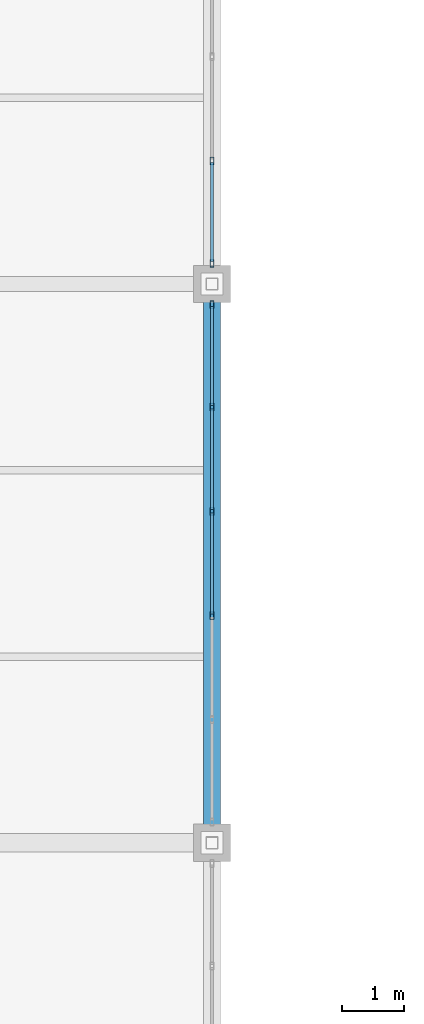
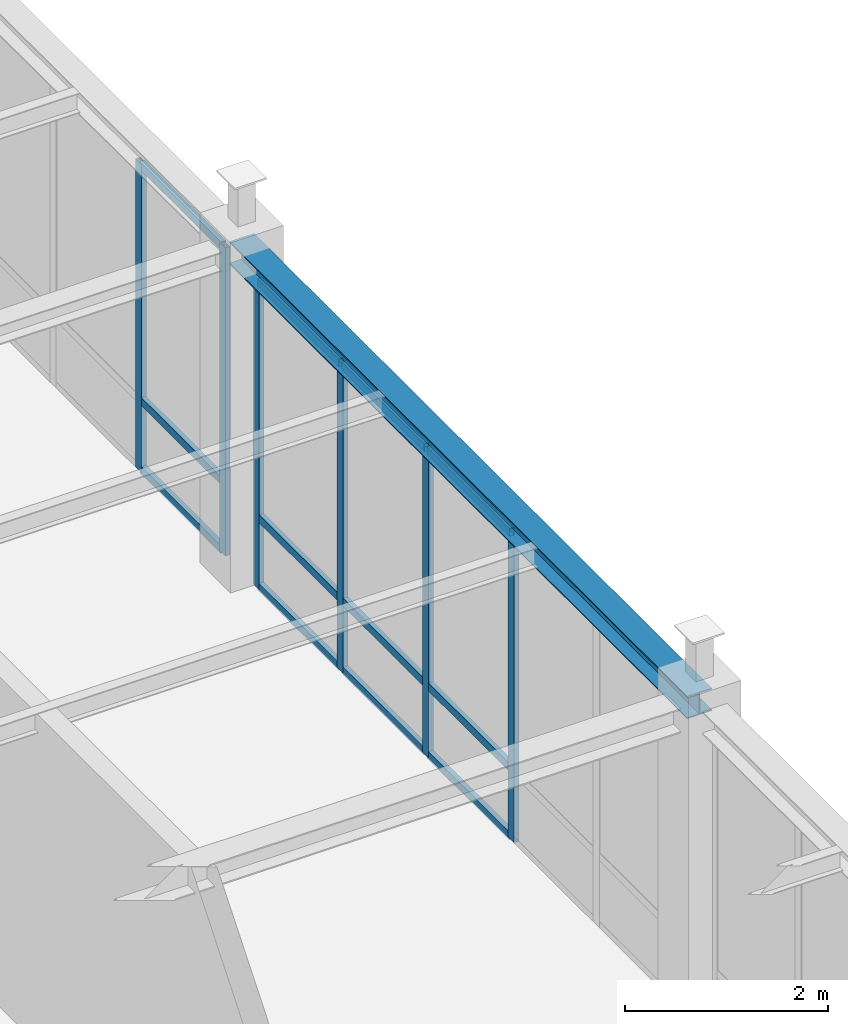
# One storey, part 52 of 97: 18 members, 1 beam, 2 elements without a shape of their own.
"""IFC4 building model written with IfcOpenShell, lengths in metres."""

from ifc_helpers import new_model, si_unit, direction, frame, origin, origin_2d, place, context, subcontext, project, spatial, hollow_rectangle, i_section, extrude, material, material_profile, profile_set, type_object, element, aggregate, save


model = new_model("IFC4")

# Units and contexts
model_context = context("Model", 3, precision=1e-05, world=origin(), true_north=direction((0.0, 1.0)))
body_context = subcontext(model_context, "Body", "Model", "MODEL_VIEW")
ifc_project = project(units=[si_unit("LENGTHUNIT", "METRE"), si_unit("AREAUNIT", "SQUARE_METRE"), si_unit("VOLUMEUNIT", "CUBIC_METRE"), si_unit("PLANEANGLEUNIT", "RADIAN"), si_unit("MASSUNIT", "GRAM", prefix="KILO")], contexts=[model_context])

# Site, building, storey
site_placement = place(None, origin())
site = spatial("IfcSite", under=ifc_project, at=site_placement, CompositionType="ELEMENT")
building_placement = place(site_placement, origin())
building = spatial("IfcBuilding", under=site, at=building_placement, Name="Lykobir Media Centre", CompositionType="ELEMENT")
storey_placement = place(building_placement, frame((0.0, 0.0, 23.39990234375)))
storey = spatial("IfcBuildingStorey", under=building, at=storey_placement, Name="L05", CompositionType="ELEMENT", Elevation=23.39990234375)

# Beam
ifc_material_1 = material(Name="Steel S355", Category="steel")
ifc_material_profile_1 = material_profile(ifc_material_1, i_section(OverallWidth=0.280029296875, OverallDepth=0.27001953125, WebThickness=0.008056640625, FlangeThickness=0.012939453125, at=origin_2d()), Name="HEA 280")
ifc_profile_set_1 = profile_set([ifc_material_profile_1], Name="Steel S355")
beam_type = type_object("IfcBeamType", Name="BM-HEA280", PredefinedType="BEAM", material=ifc_profile_set_1)
beam_placement = place(storey_placement, frame((99.0, 36.0, 3.84521484375), z_axis=(0.0, 1.0, 0.0), x_axis=(-1.0, 0.0, 0.0)))
element("IfcBeam", 1, at=beam_placement, inside=storey, type_object=beam_type, Name="Beam BM-L05-0990-0360-0990-0450-2724", PredefinedType="BEAM", context=body_context, shape_type="SweptSolid", body=[
    extrude(i_section(OverallWidth=0.280029296875, OverallDepth=0.27001953125, WebThickness=0.008056640625, FlangeThickness=0.012939453125, at=origin_2d()), origin(), (0.0, 0.0, 1.0), 9.0),
])

# Curtain wall, members
ifc_material_2 = material(Name="Anodized Aluminium AW-6060", Category="aluminium")
curtain_wall_type = type_object("IfcCurtainWallType", Name="CW-COURT-B", PredefinedType="NOTDEFINED", material=ifc_material_2)
curtain_wall_1_placement = place(storey_placement, origin())
curtain_wall_1 = element("IfcCurtainWall", 2, at=curtain_wall_1_placement, inside=storey, type_object=curtain_wall_type, Name="Curtain wall CW2-L05-0183", PredefinedType="NOTDEFINED")
ifc_material_profile_2 = material_profile(ifc_material_2, hollow_rectangle(XDim=0.054931640625, YDim=0.1201171875, WallThickness=0.003173828125, at=origin_2d()), Name="ALU MULLION 55x120")
ifc_profile_set_2 = profile_set([ifc_material_profile_2], Name="Anodized Aluminium AW-6060")
member_type_1 = type_object("IfcMemberType", Name="CWM-120", PredefinedType="MULLION", material=ifc_profile_set_2)
member_1_placement = place(storey_placement, frame((99.0, 44.66748046875, 0.0), z_axis=(0.0, 0.0, 1.0), x_axis=(1.0, 0.0, 0.0)))
member_1 = element("IfcMember", 3, at=member_1_placement, type_object=member_type_1, Name="CW2-L05-0183 mullion 1", PredefinedType="MULLION", context=body_context, shape_type="SweptSolid", body=[
    extrude(hollow_rectangle(XDim=0.054931640625, YDim=0.1201171875, WallThickness=0.003173828125, at=origin_2d()), origin(), (0.0, 0.0, 1.0), 3.695068359375),
])
member_2_placement = place(storey_placement, frame((99.0, 43.01708984375, 0.0), z_axis=(0.0, 0.0, 1.0), x_axis=(1.0, 0.0, 0.0)))
member_2 = element("IfcMember", 4, at=member_2_placement, type_object=member_type_1, Name="CW2-L05-0183 mullion 2", PredefinedType="MULLION", context=body_context, shape_type="SweptSolid", body=[
    extrude(hollow_rectangle(XDim=0.054931640625, YDim=0.1201171875, WallThickness=0.003173828125, at=origin_2d()), origin(), (0.0, 0.0, 1.0), 3.695068359375),
])
member_3_placement = place(storey_placement, frame((99.0, 41.339111328125, 0.0), z_axis=(0.0, 0.0, 1.0), x_axis=(1.0, 0.0, 0.0)))
member_3 = element("IfcMember", 5, at=member_3_placement, type_object=member_type_1, Name="CW2-L05-0183 mullion 3", PredefinedType="MULLION", context=body_context, shape_type="SweptSolid", body=[
    extrude(hollow_rectangle(XDim=0.054931640625, YDim=0.1201171875, WallThickness=0.003173828125, at=origin_2d()), origin(), (0.0, 0.0, 1.0), 3.695068359375),
])
member_4_placement = place(storey_placement, frame((99.0, 39.660888671875, 0.0), z_axis=(0.0, 0.0, 1.0), x_axis=(1.0, 0.0, 0.0)))
member_4 = element("IfcMember", 6, at=member_4_placement, type_object=member_type_1, Name="CW2-L05-0183 mullion 4", PredefinedType="MULLION", context=body_context, shape_type="SweptSolid", body=[
    extrude(hollow_rectangle(XDim=0.054931640625, YDim=0.1201171875, WallThickness=0.003173828125, at=origin_2d()), origin(), (0.0, 0.0, 1.0), 3.695068359375),
])

curtain_wall_2_placement = place(storey_placement, origin())
curtain_wall_2 = element("IfcCurtainWall", 7, at=curtain_wall_2_placement, inside=storey, type_object=curtain_wall_type, Name="Curtain wall CW2-L05-0184", PredefinedType="NOTDEFINED")
member_5_placement = place(storey_placement, frame((99.0, 46.98291015625, 0.0), z_axis=(0.0, 0.0, 1.0), x_axis=(1.0, 0.0, 0.0)))
member_5 = element("IfcMember", 8, at=member_5_placement, type_object=member_type_1, Name="CW2-L05-0184 mullion 5", PredefinedType="MULLION", context=body_context, shape_type="SweptSolid", body=[
    extrude(hollow_rectangle(XDim=0.054931640625, YDim=0.1201171875, WallThickness=0.003173828125, at=origin_2d()), origin(), (0.0, 0.0, 1.0), 3.695068359375),
])
member_6_placement = place(storey_placement, frame((99.0, 45.33251953125, 0.0), z_axis=(0.0, 0.0, 1.0), x_axis=(1.0, 0.0, 0.0)))
member_6 = element("IfcMember", 9, at=member_6_placement, type_object=member_type_1, Name="CW2-L05-0184 mullion 6", PredefinedType="MULLION", context=body_context, shape_type="SweptSolid", body=[
    extrude(hollow_rectangle(XDim=0.054931640625, YDim=0.1201171875, WallThickness=0.003173828125, at=origin_2d()), origin(), (0.0, 0.0, 1.0), 3.695068359375),
])

# Member
ifc_material_profile_3 = material_profile(ifc_material_2, hollow_rectangle(XDim=0.054931640625, YDim=0.094970703125, WallThickness=0.0029296875, at=origin_2d()), Name="ALU TRANSOM 55x95")
ifc_profile_set_3 = profile_set([ifc_material_profile_3], Name="Anodized Aluminium AW-6060")
member_type_2 = type_object("IfcMemberType", Name="CWT-095", PredefinedType="USERDEFINED", material=ifc_profile_set_3)
member_7_placement = place(storey_placement, frame((99.0, 44.639892578125, 0.027587890625), z_axis=(0.0, -1.0, 0.0), x_axis=(1.0, 0.0, 0.0)))
member_7 = element("IfcMember", 10, at=member_7_placement, type_object=member_type_2, Name="CW2-L05-0183 transom 1.1", ObjectType="TRANSOM", PredefinedType="USERDEFINED", context=body_context, shape_type="SweptSolid", body=[
    extrude(hollow_rectangle(XDim=0.054931640625, YDim=0.094970703125, WallThickness=0.0029296875, at=origin_2d()), origin(), (0.0, 0.0, 1.0), 1.595458984375),
])

member_8_placement = place(storey_placement, frame((99.0, 44.639892578125, 0.85009765625), z_axis=(0.0, -1.0, 0.0), x_axis=(1.0, 0.0, 0.0)))
member_8 = element("IfcMember", 11, at=member_8_placement, type_object=member_type_2, Name="CW2-L05-0183 transom 1.2", ObjectType="TRANSOM", PredefinedType="USERDEFINED", context=body_context, shape_type="SweptSolid", body=[
    extrude(hollow_rectangle(XDim=0.054931640625, YDim=0.094970703125, WallThickness=0.0029296875, at=origin_2d()), origin(), (0.0, 0.0, 1.0), 1.595458984375),
])

member_9_placement = place(storey_placement, frame((99.0, 44.639892578125, 3.66748046875), z_axis=(0.0, -1.0, 0.0), x_axis=(1.0, 0.0, 0.0)))
member_9 = element("IfcMember", 12, at=member_9_placement, type_object=member_type_2, Name="CW2-L05-0183 transom 1.3", ObjectType="TRANSOM", PredefinedType="USERDEFINED", context=body_context, shape_type="SweptSolid", body=[
    extrude(hollow_rectangle(XDim=0.054931640625, YDim=0.094970703125, WallThickness=0.0029296875, at=origin_2d()), origin(), (0.0, 0.0, 1.0), 1.595458984375),
])

member_10_placement = place(storey_placement, frame((99.0, 42.989501953125, 0.027587890625), z_axis=(0.0, -1.0, 0.0), x_axis=(1.0, 0.0, 0.0)))
member_10 = element("IfcMember", 13, at=member_10_placement, type_object=member_type_2, Name="CW2-L05-0183 transom 2.1", ObjectType="TRANSOM", PredefinedType="USERDEFINED", context=body_context, shape_type="SweptSolid", body=[
    extrude(hollow_rectangle(XDim=0.054931640625, YDim=0.094970703125, WallThickness=0.0029296875, at=origin_2d()), origin(), (0.0, 0.0, 1.0), 1.623046875),
])

member_11_placement = place(storey_placement, frame((99.0, 42.989501953125, 0.85009765625), z_axis=(0.0, -1.0, 0.0), x_axis=(1.0, 0.0, 0.0)))
member_11 = element("IfcMember", 14, at=member_11_placement, type_object=member_type_2, Name="CW2-L05-0183 transom 2.2", ObjectType="TRANSOM", PredefinedType="USERDEFINED", context=body_context, shape_type="SweptSolid", body=[
    extrude(hollow_rectangle(XDim=0.054931640625, YDim=0.094970703125, WallThickness=0.0029296875, at=origin_2d()), origin(), (0.0, 0.0, 1.0), 1.623046875),
])

member_12_placement = place(storey_placement, frame((99.0, 42.989501953125, 3.66748046875), z_axis=(0.0, -1.0, 0.0), x_axis=(1.0, 0.0, 0.0)))
member_12 = element("IfcMember", 15, at=member_12_placement, type_object=member_type_2, Name="CW2-L05-0183 transom 2.3", ObjectType="TRANSOM", PredefinedType="USERDEFINED", context=body_context, shape_type="SweptSolid", body=[
    extrude(hollow_rectangle(XDim=0.054931640625, YDim=0.094970703125, WallThickness=0.0029296875, at=origin_2d()), origin(), (0.0, 0.0, 1.0), 1.623046875),
])

member_13_placement = place(storey_placement, frame((99.0, 41.3115234375, 0.027587890625), z_axis=(0.0, -1.0, 0.0), x_axis=(1.0, 0.0, 0.0)))
member_13 = element("IfcMember", 16, at=member_13_placement, type_object=member_type_2, Name="CW2-L05-0183 transom 3.1", ObjectType="TRANSOM", PredefinedType="USERDEFINED", context=body_context, shape_type="SweptSolid", body=[
    extrude(hollow_rectangle(XDim=0.054931640625, YDim=0.094970703125, WallThickness=0.0029296875, at=origin_2d()), origin(), (0.0, 0.0, 1.0), 1.623046875),
])

member_14_placement = place(storey_placement, frame((99.0, 41.3115234375, 0.85009765625), z_axis=(0.0, -1.0, 0.0), x_axis=(1.0, 0.0, 0.0)))
member_14 = element("IfcMember", 17, at=member_14_placement, type_object=member_type_2, Name="CW2-L05-0183 transom 3.2", ObjectType="TRANSOM", PredefinedType="USERDEFINED", context=body_context, shape_type="SweptSolid", body=[
    extrude(hollow_rectangle(XDim=0.054931640625, YDim=0.094970703125, WallThickness=0.0029296875, at=origin_2d()), origin(), (0.0, 0.0, 1.0), 1.623046875),
])

member_15_placement = place(storey_placement, frame((99.0, 41.3115234375, 3.66748046875), z_axis=(0.0, -1.0, 0.0), x_axis=(1.0, 0.0, 0.0)))
member_15 = element("IfcMember", 18, at=member_15_placement, type_object=member_type_2, Name="CW2-L05-0183 transom 3.3", ObjectType="TRANSOM", PredefinedType="USERDEFINED", context=body_context, shape_type="SweptSolid", body=[
    extrude(hollow_rectangle(XDim=0.054931640625, YDim=0.094970703125, WallThickness=0.0029296875, at=origin_2d()), origin(), (0.0, 0.0, 1.0), 1.623046875),
])

aggregate(curtain_wall_1, [member_1, member_2, member_3, member_4, member_7, member_8, member_9, member_10, member_11, member_12, member_13, member_14, member_15])

member_16_placement = place(storey_placement, frame((99.0, 46.95556640625, 0.027587890625), z_axis=(0.0, -1.0, 0.0), x_axis=(1.0, 0.0, 0.0)))
member_16 = element("IfcMember", 19, at=member_16_placement, type_object=member_type_2, Name="CW2-L05-0184 transom 5.1", ObjectType="TRANSOM", PredefinedType="USERDEFINED", context=body_context, shape_type="SweptSolid", body=[
    extrude(hollow_rectangle(XDim=0.054931640625, YDim=0.094970703125, WallThickness=0.0029296875, at=origin_2d()), origin(), (0.0, 0.0, 1.0), 1.595458984375),
])

member_17_placement = place(storey_placement, frame((99.0, 46.95556640625, 0.85009765625), z_axis=(0.0, -1.0, 0.0), x_axis=(1.0, 0.0, 0.0)))
member_17 = element("IfcMember", 20, at=member_17_placement, type_object=member_type_2, Name="CW2-L05-0184 transom 5.2", ObjectType="TRANSOM", PredefinedType="USERDEFINED", context=body_context, shape_type="SweptSolid", body=[
    extrude(hollow_rectangle(XDim=0.054931640625, YDim=0.094970703125, WallThickness=0.0029296875, at=origin_2d()), origin(), (0.0, 0.0, 1.0), 1.595458984375),
])

member_18_placement = place(storey_placement, frame((99.0, 46.95556640625, 3.66748046875), z_axis=(0.0, -1.0, 0.0), x_axis=(1.0, 0.0, 0.0)))
member_18 = element("IfcMember", 21, at=member_18_placement, type_object=member_type_2, Name="CW2-L05-0184 transom 5.3", ObjectType="TRANSOM", PredefinedType="USERDEFINED", context=body_context, shape_type="SweptSolid", body=[
    extrude(hollow_rectangle(XDim=0.054931640625, YDim=0.094970703125, WallThickness=0.0029296875, at=origin_2d()), origin(), (0.0, 0.0, 1.0), 1.595458984375),
])

aggregate(curtain_wall_2, [member_5, member_6, member_16, member_17, member_18])

save(model, "model.ifc")
